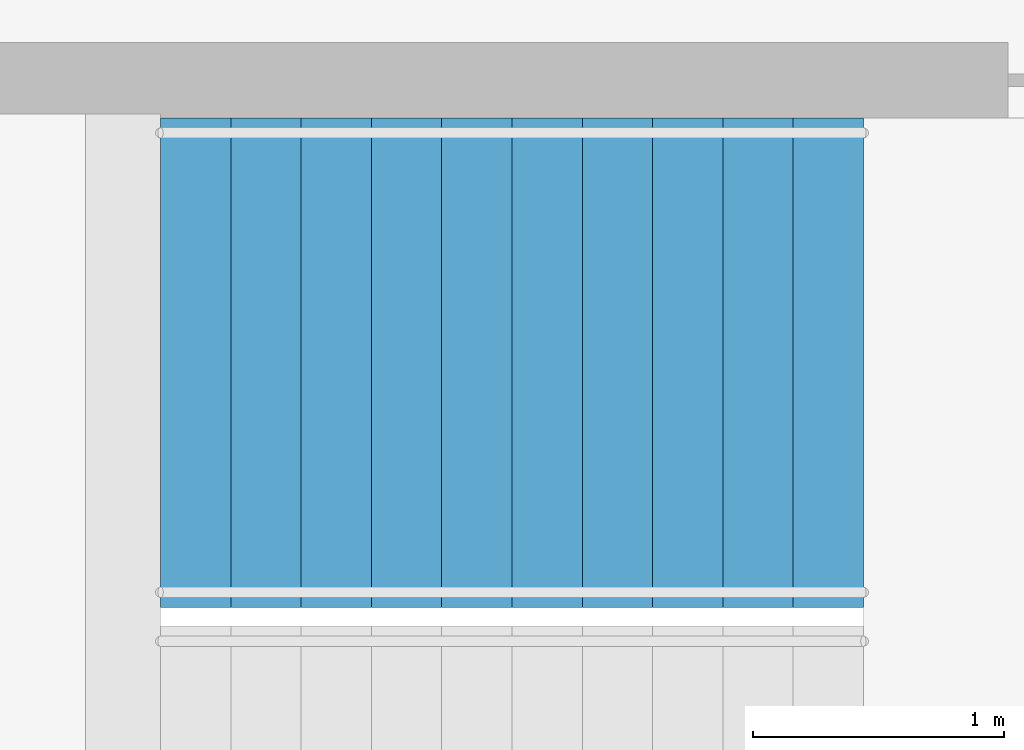
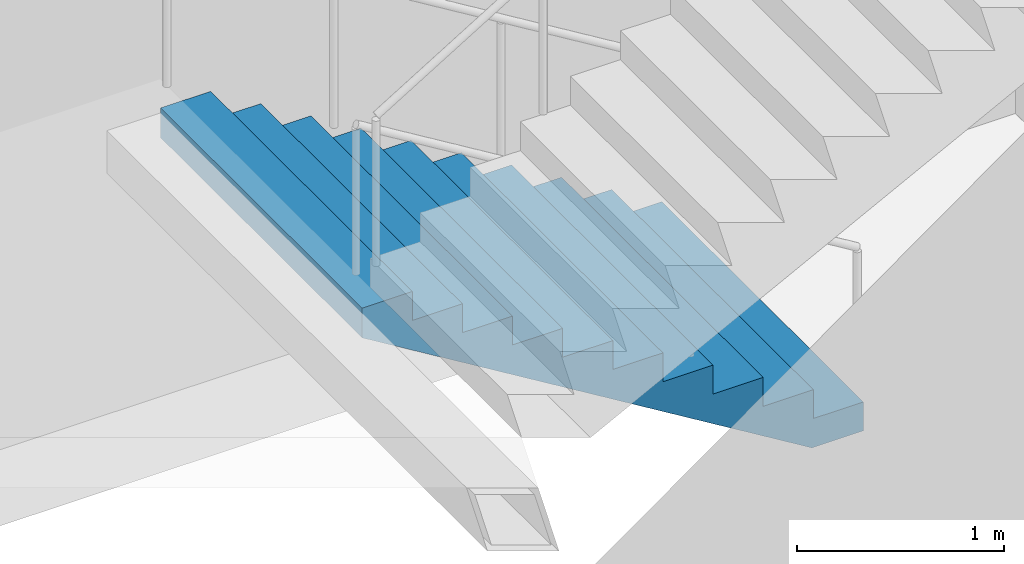
# One storey, part 23 of 26: 1 stair flight, 1 element without a shape of its own.
"""IFC4 building model written with IfcOpenShell, lengths in metres."""

import ifcopenshell
import ifcopenshell.guid

model = None  # the IFC model being written
_history = None  # IfcOwnerHistory: only IFC2X3 demands one
_inside = {}  # id of a spatial element -> (the spatial element, [elements in it])
_under = {}  # id of a project, library or spatial element -> (it, [spatial elements below it])
_declared = {}  # id of a project -> (the project, [libraries it declares])
_typed = {}  # id of a type object -> (the type object, [elements of that type])
_made_of = {}  # id of a material, layer set ... -> (it, [elements and type objects made of it])


def new_model(schema):
    """Start an empty IFC model of exactly this schema.

    Asked for "IFC4X3", IfcOpenShell would pick the latest addendum, in which some entities
    have other attributes; the version numbers below select the first issue.
    IFC2X3 requires an IfcOwnerHistory on every rooted entity: one is made here for all.
    """
    global model, _history
    if schema == "IFC4X3":
        model = ifcopenshell.file(schema_version=(4, 3, 0, 0))
    else:
        model = ifcopenshell.file(schema=schema)
    _inside.clear()
    _under.clear()
    _declared.clear()
    _typed.clear()
    _made_of.clear()
    _history = None
    if model.schema == "IFC2X3":
        org = make("IfcOrganization", Name="unknown")
        user = make(
            "IfcPersonAndOrganization",
            ThePerson=make("IfcPerson", FamilyName="unknown"),
            TheOrganization=org,
        )
        app = make(
            "IfcApplication",
            ApplicationDeveloper=org,
            Version="unknown",
            ApplicationFullName="unknown",
            ApplicationIdentifier="unknown",
        )
        _history = make(
            "IfcOwnerHistory",
            OwningUser=user,
            OwningApplication=app,
            ChangeAction="ADDED",
            CreationDate=0,
        )
    return model


def make(cls, **values):
    """One entity of the class cls with the attributes given. An attribute that is None is left unset."""
    return model.create_entity(
        cls, **{name: value for name, value in values.items() if value is not None}
    )


def rooted(cls, **values):
    """An entity with a GlobalId (a new one), such as an element, a storey or a relation."""
    return make(cls, GlobalId=ifcopenshell.guid.new(), OwnerHistory=_history, **values)


def si_unit(unit_type, name, prefix=None):
    """IfcSIUnit, for example si_unit("LENGTHUNIT", "METRE", prefix="MILLI")."""
    return make("IfcSIUnit", UnitType=unit_type, Prefix=prefix, Name=name)


def assignment(units):
    """IfcUnitAssignment: the units of a project."""
    return None if units is None else make("IfcUnitAssignment", Units=units)


def point(xyz):
    """IfcCartesianPoint."""
    return None if xyz is None else make("IfcCartesianPoint", Coordinates=xyz)


def direction(xyz):
    """IfcDirection."""
    return None if xyz is None else make("IfcDirection", DirectionRatios=xyz)


def frame(location, z_axis=None, x_axis=None):
    """IfcAxis2Placement3D, a coordinate frame: its origin and axes. An axis left out is left unset."""
    return make(
        "IfcAxis2Placement3D",
        Location=point(location),
        Axis=direction(z_axis),
        RefDirection=direction(x_axis),
    )


def origin():
    """The frame at (0, 0, 0) with its axes left unset."""
    return frame((0.0, 0.0, 0.0))


def place(relative_to, where):
    """IfcLocalPlacement: puts the frame where relative to a parent placement (None: the world)."""
    return make(
        "IfcLocalPlacement", PlacementRelTo=relative_to, RelativePlacement=where
    )


def context(
    kind, dimensions, precision=None, world=None, true_north=None, identifier=None
):
    """IfcGeometricRepresentationContext, for example the 3D "Model" context."""
    return make(
        "IfcGeometricRepresentationContext",
        ContextIdentifier=identifier,
        ContextType=kind,
        CoordinateSpaceDimension=dimensions,
        Precision=precision,
        WorldCoordinateSystem=world,
        TrueNorth=true_north,
    )


def subcontext(parent, identifier, kind, view, scale=None):
    """IfcGeometricRepresentationSubContext, for example "Body" below "Model"."""
    return make(
        "IfcGeometricRepresentationSubContext",
        ContextIdentifier=identifier,
        ContextType=kind,
        ParentContext=parent,
        TargetScale=scale,
        TargetView=view,
    )


def project(units=None, contexts=None):
    """IfcProject with its units and contexts."""
    return rooted(
        "IfcProject",
        Name="project",
        RepresentationContexts=contexts,
        UnitsInContext=assignment(units),
    )


def spatial(cls, under=None, at=None, **own):
    """A site, building, storey or space (cls), placed at a placement, below another one or the project."""
    s = rooted(cls, ObjectPlacement=at, **own)
    if under is not None:
        _under.setdefault(under.id(), (under, []))[1].append(s)
    return s


def point_list(points):
    """IfcCartesianPointList2D or 3D."""
    cls = (
        "IfcCartesianPointList2D" if len(points[0]) == 2 else "IfcCartesianPointList3D"
    )
    return make(cls, CoordList=points)


def triangles(points, corners, closed=None, point_numbers=None):
    """IfcTriangulatedFaceSet: each triangle names its three corners, points numbered from 1."""
    return make(
        "IfcTriangulatedFaceSet",
        Coordinates=point_list(points),
        Closed=closed,
        CoordIndex=corners,
        PnIndex=point_numbers,
    )


def shape(context_of_items, identifier, shape_type, items):
    """IfcShapeRepresentation: the items that make up one representation, for example the "Body"."""
    return make(
        "IfcShapeRepresentation",
        ContextOfItems=context_of_items,
        RepresentationIdentifier=identifier,
        RepresentationType=shape_type,
        Items=items,
    )


def material(Name=None, Category=None):
    """IfcMaterial."""
    return make("IfcMaterial", Name=Name, Category=Category)


def made_of(thing, what):
    """Note that an element or type object is made of a material, layer set ...; save() writes the relation."""
    if what is not None:
        _made_of.setdefault(what.id(), (what, []))[1].append(thing)
    return thing


def type_object(cls, material=None, **own):
    """A type object (cls), such as IfcWallType, which elements share."""
    return made_of(rooted(cls, **own), material)


def element(
    cls,
    number,
    at=None,
    inside=None,
    cuts=None,
    type_object=None,
    material=None,
    context=None,
    identifier="Body",
    shape_type=None,
    held_by="IfcProductDefinitionShape",
    body=None,
    shapes=None,
    **own,
):
    """One element of the class cls, such as IfcWall. Its Tag is "e" and its number.

    at: its placement. inside: the storey or other place that contains it. cuts: it is an
    opening in that element (IfcRelVoidsElement). A single representation is given by context,
    identifier, shape_type and body (its items); several are given by shapes. held_by: the class
    of the entity that holds the representations. save() writes the other relations.
    """
    e = rooted(cls, Tag="e%d" % number, ObjectPlacement=at, **own)
    if body is not None:
        shapes = [shape(context, identifier, shape_type, body)]
    if shapes is not None:
        e.Representation = make(held_by, Representations=shapes)
    if inside is not None:
        _inside.setdefault(inside.id(), (inside, []))[1].append(e)
    if cuts is not None:
        rooted(
            "IfcRelVoidsElement", RelatingBuildingElement=cuts, RelatedOpeningElement=e
        )
    if type_object is not None:
        _typed.setdefault(type_object.id(), (type_object, []))[1].append(e)
    return made_of(e, material)


def aggregate(whole, parts):
    """IfcRelAggregates: a whole, such as a stair, and the parts it consists of."""
    return rooted("IfcRelAggregates", RelatingObject=whole, RelatedObjects=parts)


def save(model, path):
    """Write the relations noted so far, then the file.

    IfcRelAggregates (storeys below a building ...), IfcRelContainedInSpatialStructure (elements
    in a storey), IfcRelDefinesByType, IfcRelAssociatesMaterial and IfcRelDeclares: one each for
    every whole, place, type object, material and project.
    """
    for whole, parts in _under.values():
        aggregate(whole, parts)
    for where, things in _inside.values():
        rooted(
            "IfcRelContainedInSpatialStructure",
            RelatedElements=things,
            RelatingStructure=where,
        )
    for kind, things in _typed.values():
        rooted("IfcRelDefinesByType", RelatedObjects=things, RelatingType=kind)
    for what, things in _made_of.values():
        rooted("IfcRelAssociatesMaterial", RelatedObjects=things, RelatingMaterial=what)
    for by, libraries in _declared.values():
        rooted("IfcRelDeclares", RelatingContext=by, RelatedDefinitions=libraries)
    model.write(path)


model = new_model("IFC4")

# Units and contexts
model_context = context("Model", 3, precision=1e-05, world=origin(), true_north=direction((0.0, 1.0)))
body_context = subcontext(model_context, "Body", "Model", "MODEL_VIEW")
ifc_project = project(units=[si_unit("LENGTHUNIT", "METRE"), si_unit("AREAUNIT", "SQUARE_METRE"), si_unit("VOLUMEUNIT", "CUBIC_METRE"), si_unit("PLANEANGLEUNIT", "RADIAN"), si_unit("MASSUNIT", "GRAM", prefix="KILO")], contexts=[model_context])

# Site, building, storey
site_placement = place(None, origin())
site = spatial("IfcSite", under=ifc_project, at=site_placement, CompositionType="ELEMENT")
building_placement = place(site_placement, origin())
building = spatial("IfcBuilding", under=site, at=building_placement, Name="Orbita Commons", CompositionType="ELEMENT")
storey_placement = place(building_placement, frame((0.0, 0.0, 114.39990234375)))
storey = spatial("IfcBuildingStorey", under=building, at=storey_placement, Name="L28", CompositionType="ELEMENT", Elevation=114.39990234375)

# Stair, stair flight
ifc_material_1 = material(Name="Precast concrete C40/50", Category="concrete")
stair_type = type_object("IfcStairType", Name="Exit stair S2 2 flights 11 risers 170", PredefinedType="HALF_TURN_STAIR", material=ifc_material_1)
stair_placement = place(storey_placement, origin())
stair = element("IfcStair", 1, at=stair_placement, inside=storey, type_object=stair_type, Name="Exit stair S2 L28", PredefinedType="HALF_TURN_STAIR")
ifc_material_2 = material(Name="Precast concrete C40/50", Category="concrete")
stair_flight_type = type_object("IfcStairFlightType", Name="Stair flight 11 risers 170 x 280", PredefinedType="STRAIGHT", material=ifc_material_2)
stair_flight_placement = place(storey_placement, frame((63.550048828125, 29.27490234375, 0.0), z_axis=(0.0, 0.0, 1.0), x_axis=(-1.0, 0.0, 0.0)))
stair_flight = element("IfcStairFlight", 2, at=stair_flight_placement, type_object=stair_flight_type, Name="S2 flight 1", NumberOfRisers=11, NumberOfTreads=10, PredefinedType="STRAIGHT", RiserHeight=0.170454545, TreadLength=0.28, context=body_context, shape_type="Tessellation", body=[
    triangles([(0.0, 0.974976, 0.0), (0.0, 0.974976, 0.021307), (0.0, 0.81248, 0.021307), (0.0, 0.81248, 0.0), (0.0, 0.649984, 0.021307), (0.0, 0.649984, 0.0), (0.0, 0.487488, 0.021307), (0.0, 0.487488, 0.0), (0.0, 0.324992, 0.021307), (0.0, 0.324992, 0.0), (0.0, 0.162496, 0.021307), (0.0, 0.162496, 0.0), (0.0, 0.0, 0.021307), (0.0, 0.0, 0.0), (0.0, -0.162496, 0.021307), (0.0, -0.162496, 0.0), (0.0, -0.324992, 0.021307), (0.0, -0.324992, 0.0), (0.0, -0.487488, 0.021307), (0.0, -0.487488, 0.0), (0.0, -0.649984, 0.021307), (0.0, -0.649984, 0.0), (0.0, -0.81248, 0.021307), (0.0, -0.81248, 0.0), (0.0, -0.974976, 0.021307), (0.0, -0.974976, 0.0), (0.0, 0.974976, 0.042614), (0.0, 0.81248, 0.042614), (0.0, 0.649984, 0.042614), (0.0, 0.487488, 0.042614), (0.0, 0.324992, 0.042614), (0.0, 0.162496, 0.042614), (0.0, 0.0, 0.042614), (0.0, -0.162496, 0.042614), (0.0, -0.324992, 0.042614), (0.0, -0.487488, 0.042614), (0.0, -0.649984, 0.042614), (0.0, -0.81248, 0.042614), (0.0, -0.974976, 0.042614), (0.0, 0.974976, 0.06392), (0.0, 0.81248, 0.06392), (0.0, 0.649984, 0.06392), (0.0, 0.487488, 0.06392), (0.0, 0.324992, 0.06392), (0.0, 0.162496, 0.06392), (0.0, 0.0, 0.06392), (0.0, -0.162496, 0.06392), (0.0, -0.324992, 0.06392), (0.0, -0.487488, 0.06392), (0.0, -0.649984, 0.06392), (0.0, -0.81248, 0.06392), (0.0, -0.974976, 0.06392), (0.0, 0.974976, 0.085227), (0.0, 0.81248, 0.085227), (0.0, 0.649984, 0.085227), (0.0, 0.487488, 0.085227), (0.0, 0.324992, 0.085227), (0.0, 0.162496, 0.085227), (0.0, 0.0, 0.085227), (0.0, -0.162496, 0.085227), (0.0, -0.324992, 0.085227), (0.0, -0.487488, 0.085227), (0.0, -0.649984, 0.085227), (0.0, -0.81248, 0.085227), (0.0, -0.974976, 0.085227), (0.0, 0.974976, 0.106534), (0.0, 0.81248, 0.106534), (0.0, 0.649984, 0.106534), (0.0, 0.487488, 0.106534), (0.0, 0.324992, 0.106534), (0.0, 0.162496, 0.106534), (0.0, 0.0, 0.106534), (0.0, -0.162496, 0.106534), (0.0, -0.324992, 0.106534), (0.0, -0.487488, 0.106534), (0.0, -0.649984, 0.106534), (0.0, -0.81248, 0.106534), (0.0, -0.974976, 0.106534), (0.0, 0.974976, 0.127841), (0.0, 0.81248, 0.127841), (0.0, 0.649984, 0.127841), (0.0, 0.487488, 0.127841), (0.0, 0.324992, 0.127841), (0.0, 0.162496, 0.127841), (0.0, 0.0, 0.127841), (0.0, -0.162496, 0.127841), (0.0, -0.324992, 0.127841), (0.0, -0.487488, 0.127841), (0.0, -0.649984, 0.127841), (0.0, -0.81248, 0.127841), (0.0, -0.974976, 0.127841), (0.0, 0.974976, 0.149148), (0.0, 0.81248, 0.149148), (0.0, 0.649984, 0.149148), (0.0, 0.487488, 0.149148), (0.0, 0.324992, 0.149148), (0.0, 0.162496, 0.149148), (0.0, 0.0, 0.149148), (0.0, -0.162496, 0.149148), (0.0, -0.324992, 0.149148), (0.0, -0.487488, 0.149148), (0.0, -0.649984, 0.149148), (0.0, -0.81248, 0.149148), (0.0, -0.974976, 0.149148), (0.0, 0.974976, 0.170455), (0.0, 0.81248, 0.170455), (0.0, 0.649984, 0.170455), (0.0, 0.487488, 0.170455), (0.0, 0.324992, 0.170455), (0.0, 0.162496, 0.170455), (0.0, 0.0, 0.170455), (0.0, -0.162496, 0.170455), (0.0, -0.324992, 0.170455), (0.0, -0.487488, 0.170455), (0.0, -0.649984, 0.170455), (0.0, -0.81248, 0.170455), (0.0, -0.974976, 0.170455), (0.28, 0.974976, 0.170455), (0.28, 0.81248, 0.170455), (0.28, 0.649984, 0.170455), (0.28, 0.487488, 0.170455), (0.28, 0.324992, 0.170455), (0.28, 0.162496, 0.170455), (0.28, 0.0, 0.170455), (0.28, -0.162496, 0.170455), (0.28, -0.324992, 0.170455), (0.28, -0.487488, 0.170455), (0.28, -0.649984, 0.170455), (0.28, -0.81248, 0.170455), (0.28, -0.974976, 0.170455), (0.28, 0.974976, 0.340909), (0.28, 0.81248, 0.340909), (0.28, 0.649984, 0.340909), (0.28, 0.487488, 0.340909), (0.28, 0.324992, 0.340909), (0.28, 0.162496, 0.340909), (0.28, 0.0, 0.340909), (0.28, -0.162496, 0.340909), (0.28, -0.324992, 0.340909), (0.28, -0.487488, 0.340909), (0.28, -0.649984, 0.340909), (0.28, -0.81248, 0.340909), (0.28, -0.974976, 0.340909), (0.56, 0.974976, 0.340909), (0.56, 0.81248, 0.340909), (0.56, 0.649984, 0.340909), (0.56, 0.487488, 0.340909), (0.56, 0.324992, 0.340909), (0.56, 0.162496, 0.340909), (0.56, 0.0, 0.340909), (0.56, -0.162496, 0.340909), (0.56, -0.324992, 0.340909), (0.56, -0.487488, 0.340909), (0.56, -0.649984, 0.340909), (0.56, -0.81248, 0.340909), (0.56, -0.974976, 0.340909), (0.56, 0.974976, 0.511364), (0.56, 0.81248, 0.511364), (0.56, 0.649984, 0.511364), (0.56, 0.487488, 0.511364), (0.56, 0.324992, 0.511364), (0.56, 0.162496, 0.511364), (0.56, 0.0, 0.511364), (0.56, -0.162496, 0.511364), (0.56, -0.324992, 0.511364), (0.56, -0.487488, 0.511364), (0.56, -0.649984, 0.511364), (0.56, -0.81248, 0.511364), (0.56, -0.974976, 0.511364), (0.84, 0.974976, 0.511364), (0.84, 0.81248, 0.511364), (0.84, 0.649984, 0.511364), (0.84, 0.487488, 0.511364), (0.84, 0.324992, 0.511364), (0.84, 0.162496, 0.511364), (0.84, 0.0, 0.511364), (0.84, -0.162496, 0.511364), (0.84, -0.324992, 0.511364), (0.84, -0.487488, 0.511364), (0.84, -0.649984, 0.511364), (0.84, -0.81248, 0.511364), (0.84, -0.974976, 0.511364), (0.84, 0.974976, 0.681818), (0.84, 0.81248, 0.681818), (0.84, 0.649984, 0.681818), (0.84, 0.487488, 0.681818), (0.84, 0.324992, 0.681818), (0.84, 0.162496, 0.681818), (0.84, 0.0, 0.681818), (0.84, -0.162496, 0.681818), (0.84, -0.324992, 0.681818), (0.84, -0.487488, 0.681818), (0.84, -0.649984, 0.681818), (0.84, -0.81248, 0.681818), (0.84, -0.974976, 0.681818), (1.12, 0.974976, 0.681818), (1.12, 0.81248, 0.681818), (1.12, 0.649984, 0.681818), (1.12, 0.487488, 0.681818), (1.12, 0.324992, 0.681818), (1.12, 0.162496, 0.681818), (1.12, 0.0, 0.681818), (1.12, -0.162496, 0.681818), (1.12, -0.324992, 0.681818), (1.12, -0.487488, 0.681818), (1.12, -0.649984, 0.681818), (1.12, -0.81248, 0.681818), (1.12, -0.974976, 0.681818), (1.12, 0.974976, 0.852273), (1.12, 0.81248, 0.852273), (1.12, 0.649984, 0.852273), (1.12, 0.487488, 0.852273), (1.12, 0.324992, 0.852273), (1.12, 0.162496, 0.852273), (1.12, 0.0, 0.852273), (1.12, -0.162496, 0.852273), (1.12, -0.324992, 0.852273), (1.12, -0.487488, 0.852273), (1.12, -0.649984, 0.852273), (1.12, -0.81248, 0.852273), (1.12, -0.974976, 0.852273), (1.4, 0.974976, 0.852273), (1.4, 0.81248, 0.852273), (1.4, 0.649984, 0.852273), (1.4, 0.487488, 0.852273), (1.4, 0.324992, 0.852273), (1.4, 0.162496, 0.852273), (1.4, 0.0, 0.852273), (1.4, -0.162496, 0.852273), (1.4, -0.324992, 0.852273), (1.4, -0.487488, 0.852273), (1.4, -0.649984, 0.852273), (1.4, -0.81248, 0.852273), (1.4, -0.974976, 0.852273), (1.4, 0.974976, 1.022727), (1.4, 0.81248, 1.022727), (1.4, 0.649984, 1.022727), (1.4, 0.487488, 1.022727), (1.4, 0.324992, 1.022727), (1.4, 0.162496, 1.022727), (1.4, 0.0, 1.022727), (1.4, -0.162496, 1.022727), (1.4, -0.324992, 1.022727), (1.4, -0.487488, 1.022727), (1.4, -0.649984, 1.022727), (1.4, -0.81248, 1.022727), (1.4, -0.974976, 1.022727), (1.68, 0.974976, 1.022727), (1.68, 0.81248, 1.022727), (1.68, 0.649984, 1.022727), (1.68, 0.487488, 1.022727), (1.68, 0.324992, 1.022727), (1.68, 0.162496, 1.022727), (1.68, 0.0, 1.022727), (1.68, -0.162496, 1.022727), (1.68, -0.324992, 1.022727), (1.68, -0.487488, 1.022727), (1.68, -0.649984, 1.022727), (1.68, -0.81248, 1.022727), (1.68, -0.974976, 1.022727), (1.68, 0.974976, 1.193182), (1.68, 0.81248, 1.193182), (1.68, 0.649984, 1.193182), (1.68, 0.487488, 1.193182), (1.68, 0.324992, 1.193182), (1.68, 0.162496, 1.193182), (1.68, 0.0, 1.193182), (1.68, -0.162496, 1.193182), (1.68, -0.324992, 1.193182), (1.68, -0.487488, 1.193182), (1.68, -0.649984, 1.193182), (1.68, -0.81248, 1.193182), (1.68, -0.974976, 1.193182), (1.96, 0.974976, 1.193182), (1.96, 0.81248, 1.193182), (1.96, 0.649984, 1.193182), (1.96, 0.487488, 1.193182), (1.96, 0.324992, 1.193182), (1.96, 0.162496, 1.193182), (1.96, 0.0, 1.193182), (1.96, -0.162496, 1.193182), (1.96, -0.324992, 1.193182), (1.96, -0.487488, 1.193182), (1.96, -0.649984, 1.193182), (1.96, -0.81248, 1.193182), (1.96, -0.974976, 1.193182), (1.96, 0.974976, 1.363636), (1.96, 0.81248, 1.363636), (1.96, 0.649984, 1.363636), (1.96, 0.487488, 1.363636), (1.96, 0.324992, 1.363636), (1.96, 0.162496, 1.363636), (1.96, 0.0, 1.363636), (1.96, -0.162496, 1.363636), (1.96, -0.324992, 1.363636), (1.96, -0.487488, 1.363636), (1.96, -0.649984, 1.363636), (1.96, -0.81248, 1.363636), (1.96, -0.974976, 1.363636), (2.24, 0.974976, 1.363636), (2.24, 0.81248, 1.363636), (2.24, 0.649984, 1.363636), (2.24, 0.487488, 1.363636), (2.24, 0.324992, 1.363636), (2.24, 0.162496, 1.363636), (2.24, 0.0, 1.363636), (2.24, -0.162496, 1.363636), (2.24, -0.324992, 1.363636), (2.24, -0.487488, 1.363636), (2.24, -0.649984, 1.363636), (2.24, -0.81248, 1.363636), (2.24, -0.974976, 1.363636), (2.24, 0.974976, 1.534091), (2.24, 0.81248, 1.534091), (2.24, 0.649984, 1.534091), (2.24, 0.487488, 1.534091), (2.24, 0.324992, 1.534091), (2.24, 0.162496, 1.534091), (2.24, 0.0, 1.534091), (2.24, -0.162496, 1.534091), (2.24, -0.324992, 1.534091), (2.24, -0.487488, 1.534091), (2.24, -0.649984, 1.534091), (2.24, -0.81248, 1.534091), (2.24, -0.974976, 1.534091), (2.52, 0.974976, 1.534091), (2.52, 0.81248, 1.534091), (2.52, 0.649984, 1.534091), (2.52, 0.487488, 1.534091), (2.52, 0.324992, 1.534091), (2.52, 0.162496, 1.534091), (2.52, 0.0, 1.534091), (2.52, -0.162496, 1.534091), (2.52, -0.324992, 1.534091), (2.52, -0.487488, 1.534091), (2.52, -0.649984, 1.534091), (2.52, -0.81248, 1.534091), (2.52, -0.974976, 1.534091), (2.52, 0.974976, 1.704545), (2.52, 0.81248, 1.704545), (2.52, 0.649984, 1.704545), (2.52, 0.487488, 1.704545), (2.52, 0.324992, 1.704545), (2.52, 0.162496, 1.704545), (2.52, 0.0, 1.704545), (2.52, -0.162496, 1.704545), (2.52, -0.324992, 1.704545), (2.52, -0.487488, 1.704545), (2.52, -0.649984, 1.704545), (2.52, -0.81248, 1.704545), (2.52, -0.974976, 1.704545), (2.8, 0.974976, 1.704545), (2.8, 0.81248, 1.704545), (2.8, 0.649984, 1.704545), (2.8, 0.487488, 1.704545), (2.8, 0.324992, 1.704545), (2.8, 0.162496, 1.704545), (2.8, 0.0, 1.704545), (2.8, -0.162496, 1.704545), (2.8, -0.324992, 1.704545), (2.8, -0.487488, 1.704545), (2.8, -0.649984, 1.704545), (2.8, -0.81248, 1.704545), (2.8, -0.974976, 1.704545), (2.8, 0.974976, 1.682609), (2.8, 0.81248, 1.682609), (2.8, 0.649984, 1.682609), (2.8, 0.487488, 1.682609), (2.8, 0.324992, 1.682609), (2.8, 0.162496, 1.682609), (2.8, 0.0, 1.682609), (2.8, -0.162496, 1.682609), (2.8, -0.324992, 1.682609), (2.8, -0.487488, 1.682609), (2.8, -0.649984, 1.682609), (2.8, -0.81248, 1.682609), (2.8, -0.974976, 1.682609), (2.8, 0.974976, 1.660672), (2.8, 0.81248, 1.660672), (2.8, 0.649984, 1.660672), (2.8, 0.487488, 1.660672), (2.8, 0.324992, 1.660672), (2.8, 0.162496, 1.660672), (2.8, 0.0, 1.660672), (2.8, -0.162496, 1.660672), (2.8, -0.324992, 1.660672), (2.8, -0.487488, 1.660672), (2.8, -0.649984, 1.660672), (2.8, -0.81248, 1.660672), (2.8, -0.974976, 1.660672), (2.8, 0.974976, 1.638735), (2.8, 0.81248, 1.638735), (2.8, 0.649984, 1.638735), (2.8, 0.487488, 1.638735), (2.8, 0.324992, 1.638735), (2.8, 0.162496, 1.638735), (2.8, 0.0, 1.638735), (2.8, -0.162496, 1.638735), (2.8, -0.324992, 1.638735), (2.8, -0.487488, 1.638735), (2.8, -0.649984, 1.638735), (2.8, -0.81248, 1.638735), (2.8, -0.974976, 1.638735), (2.8, 0.974976, 1.616798), (2.8, 0.81248, 1.616798), (2.8, 0.649984, 1.616798), (2.8, 0.487488, 1.616798), (2.8, 0.324992, 1.616798), (2.8, 0.162496, 1.616798), (2.8, 0.0, 1.616798), (2.8, -0.162496, 1.616798), (2.8, -0.324992, 1.616798), (2.8, -0.487488, 1.616798), (2.8, -0.649984, 1.616798), (2.8, -0.81248, 1.616798), (2.8, -0.974976, 1.616798), (2.8, 0.974976, 1.594861), (2.8, 0.81248, 1.594861), (2.8, 0.649984, 1.594861), (2.8, 0.487488, 1.594861), (2.8, 0.324992, 1.594861), (2.8, 0.162496, 1.594861), (2.8, 0.0, 1.594861), (2.8, -0.162496, 1.594861), (2.8, -0.324992, 1.594861), (2.8, -0.487488, 1.594861), (2.8, -0.649984, 1.594861), (2.8, -0.81248, 1.594861), (2.8, -0.974976, 1.594861), (2.8, 0.974976, 1.572925), (2.8, 0.81248, 1.572925), (2.8, 0.649984, 1.572925), (2.8, 0.487488, 1.572925), (2.8, 0.324992, 1.572925), (2.8, 0.162496, 1.572925), (2.8, 0.0, 1.572925), (2.8, -0.162496, 1.572925), (2.8, -0.324992, 1.572925), (2.8, -0.487488, 1.572925), (2.8, -0.649984, 1.572925), (2.8, -0.81248, 1.572925), (2.8, -0.974976, 1.572925), (2.8, 0.974976, 1.550988), (2.8, 0.81248, 1.550988), (2.8, 0.649984, 1.550988), (2.8, 0.487488, 1.550988), (2.8, 0.324992, 1.550988), (2.8, 0.162496, 1.550988), (2.8, 0.0, 1.550988), (2.8, -0.162496, 1.550988), (2.8, -0.324992, 1.550988), (2.8, -0.487488, 1.550988), (2.8, -0.649984, 1.550988), (2.8, -0.81248, 1.550988), (2.8, -0.974976, 1.550988), (2.8, 0.974976, 1.529051), (2.8, 0.81248, 1.529051), (2.8, 0.649984, 1.529051), (2.8, 0.487488, 1.529051), (2.8, 0.324992, 1.529051), (2.8, 0.162496, 1.529051), (2.8, 0.0, 1.529051), (2.8, -0.162496, 1.529051), (2.8, -0.324992, 1.529051), (2.8, -0.487488, 1.529051), (2.8, -0.649984, 1.529051), (2.8, -0.81248, 1.529051), (2.8, -0.974976, 1.529051), (0.288279, 0.974976, 0.0), (0.288279, 0.81248, 0.0), (0.288279, 0.649984, 0.0), (0.288279, 0.487488, 0.0), (0.288279, 0.324992, 0.0), (0.288279, 0.162496, 0.0), (0.288279, 0.0, 0.0), (0.288279, -0.162496, 0.0), (0.288279, -0.324992, 0.0), (0.288279, -0.487488, 0.0), (0.288279, -0.649984, 0.0), (0.288279, -0.81248, 0.0), (0.288279, -0.974976, 0.0)], [[3, 2, 1], [4, 3, 1], [5, 3, 4], [6, 5, 4], [7, 5, 6], [8, 7, 6], [9, 7, 8], [10, 9, 8], [11, 9, 10], [12, 11, 10], [13, 11, 12], [14, 13, 12], [15, 13, 14], [16, 15, 14], [17, 15, 16], [18, 17, 16], [19, 17, 18], [20, 19, 18], [21, 19, 20], [22, 21, 20], [23, 21, 22], [24, 23, 22], [25, 23, 24], [26, 25, 24], [28, 27, 2], [3, 28, 2], [29, 28, 3], [5, 29, 3], [30, 29, 5], [7, 30, 5], [31, 30, 7], [9, 31, 7], [32, 31, 9], [11, 32, 9], [33, 32, 11], [13, 33, 11], [34, 33, 13], [15, 34, 13], [35, 34, 15], [17, 35, 15], [36, 35, 17], [19, 36, 17], [37, 36, 19], [21, 37, 19], [38, 37, 21], [23, 38, 21], [39, 38, 23], [25, 39, 23], [41, 40, 27], [28, 41, 27], [42, 41, 28], [29, 42, 28], [43, 42, 29], [30, 43, 29], [44, 43, 30], [31, 44, 30], [45, 44, 31], [32, 45, 31], [46, 45, 32], [33, 46, 32], [47, 46, 33], [34, 47, 33], [48, 47, 34], [35, 48, 34], [49, 48, 35], [36, 49, 35], [50, 49, 36], [37, 50, 36], [51, 50, 37], [38, 51, 37], [52, 51, 38], [39, 52, 38], [54, 53, 40], [41, 54, 40], [55, 54, 41], [42, 55, 41], [56, 55, 42], [43, 56, 42], [57, 56, 43], [44, 57, 43], [58, 57, 44], [45, 58, 44], [59, 58, 45], [46, 59, 45], [60, 59, 46], [47, 60, 46], [61, 60, 47], [48, 61, 47], [62, 61, 48], [49, 62, 48], [63, 62, 49], [50, 63, 49], [64, 63, 50], [51, 64, 50], [65, 64, 51], [52, 65, 51], [67, 66, 53], [54, 67, 53], [68, 67, 54], [55, 68, 54], [69, 68, 55], [56, 69, 55], [70, 69, 56], [57, 70, 56], [71, 70, 57], [58, 71, 57], [72, 71, 58], [59, 72, 58], [73, 72, 59], [60, 73, 59], [74, 73, 60], [61, 74, 60], [75, 74, 61], [62, 75, 61], [76, 75, 62], [63, 76, 62], [77, 76, 63], [64, 77, 63], [78, 77, 64], [65, 78, 64], [80, 79, 66], [67, 80, 66], [81, 80, 67], [68, 81, 67], [82, 81, 68], [69, 82, 68], [83, 82, 69], [70, 83, 69], [84, 83, 70], [71, 84, 70], [85, 84, 71], [72, 85, 71], [86, 85, 72], [73, 86, 72], [87, 86, 73], [74, 87, 73], [88, 87, 74], [75, 88, 74], [89, 88, 75], [76, 89, 75], [90, 89, 76], [77, 90, 76], [91, 90, 77], [78, 91, 77], [93, 92, 79], [80, 93, 79], [94, 93, 80], [81, 94, 80], [95, 94, 81], [82, 95, 81], [96, 95, 82], [83, 96, 82], [97, 96, 83], [84, 97, 83], [98, 97, 84], [85, 98, 84], [99, 98, 85], [86, 99, 85], [100, 99, 86], [87, 100, 86], [101, 100, 87], [88, 101, 87], [102, 101, 88], [89, 102, 88], [103, 102, 89], [90, 103, 89], [104, 103, 90], [91, 104, 90], [106, 105, 92], [93, 106, 92], [107, 106, 93], [94, 107, 93], [108, 107, 94], [95, 108, 94], [109, 108, 95], [96, 109, 95], [110, 109, 96], [97, 110, 96], [111, 110, 97], [98, 111, 97], [112, 111, 98], [99, 112, 98], [113, 112, 99], [100, 113, 99], [114, 113, 100], [101, 114, 100], [115, 114, 101], [102, 115, 101], [116, 115, 102], [103, 116, 102], [117, 116, 103], [104, 117, 103], [119, 118, 105], [106, 119, 105], [120, 119, 106], [107, 120, 106], [121, 120, 107], [108, 121, 107], [122, 121, 108], [109, 122, 108], [123, 122, 109], [110, 123, 109], [124, 123, 110], [111, 124, 110], [125, 124, 111], [112, 125, 111], [126, 125, 112], [113, 126, 112], [127, 126, 113], [114, 127, 113], [128, 127, 114], [115, 128, 114], [129, 128, 115], [116, 129, 115], [130, 129, 116], [117, 130, 116], [132, 131, 118], [119, 132, 118], [133, 132, 119], [120, 133, 119], [134, 133, 120], [121, 134, 120], [135, 134, 121], [122, 135, 121], [136, 135, 122], [123, 136, 122], [137, 136, 123], [124, 137, 123], [138, 137, 124], [125, 138, 124], [139, 138, 125], [126, 139, 125], [140, 139, 126], [127, 140, 126], [141, 140, 127], [128, 141, 127], [142, 141, 128], [129, 142, 128], [143, 142, 129], [130, 143, 129], [145, 144, 131], [132, 145, 131], [146, 145, 132], [133, 146, 132], [147, 146, 133], [134, 147, 133], [148, 147, 134], [135, 148, 134], [149, 148, 135], [136, 149, 135], [150, 149, 136], [137, 150, 136], [151, 150, 137], [138, 151, 137], [152, 151, 138], [139, 152, 138], [153, 152, 139], [140, 153, 139], [154, 153, 140], [141, 154, 140], [155, 154, 141], [142, 155, 141], [156, 155, 142], [143, 156, 142], [158, 157, 144], [145, 158, 144], [159, 158, 145], [146, 159, 145], [160, 159, 146], [147, 160, 146], [161, 160, 147], [148, 161, 147], [162, 161, 148], [149, 162, 148], [163, 162, 149], [150, 163, 149], [164, 163, 150], [151, 164, 150], [165, 164, 151], [152, 165, 151], [166, 165, 152], [153, 166, 152], [167, 166, 153], [154, 167, 153], [168, 167, 154], [155, 168, 154], [169, 168, 155], [156, 169, 155], [171, 170, 157], [158, 171, 157], [172, 171, 158], [159, 172, 158], [173, 172, 159], [160, 173, 159], [174, 173, 160], [161, 174, 160], [175, 174, 161], [162, 175, 161], [176, 175, 162], [163, 176, 162], [177, 176, 163], [164, 177, 163], [178, 177, 164], [165, 178, 164], [179, 178, 165], [166, 179, 165], [180, 179, 166], [167, 180, 166], [181, 180, 167], [168, 181, 167], [182, 181, 168], [169, 182, 168], [184, 183, 170], [171, 184, 170], [185, 184, 171], [172, 185, 171], [186, 185, 172], [173, 186, 172], [187, 186, 173], [174, 187, 173], [188, 187, 174], [175, 188, 174], [189, 188, 175], [176, 189, 175], [190, 189, 176], [177, 190, 176], [191, 190, 177], [178, 191, 177], [192, 191, 178], [179, 192, 178], [193, 192, 179], [180, 193, 179], [194, 193, 180], [181, 194, 180], [195, 194, 181], [182, 195, 181], [197, 196, 183], [184, 197, 183], [198, 197, 184], [185, 198, 184], [199, 198, 185], [186, 199, 185], [200, 199, 186], [187, 200, 186], [201, 200, 187], [188, 201, 187], [202, 201, 188], [189, 202, 188], [203, 202, 189], [190, 203, 189], [204, 203, 190], [191, 204, 190], [205, 204, 191], [192, 205, 191], [206, 205, 192], [193, 206, 192], [207, 206, 193], [194, 207, 193], [208, 207, 194], [195, 208, 194], [210, 209, 196], [197, 210, 196], [211, 210, 197], [198, 211, 197], [212, 211, 198], [199, 212, 198], [213, 212, 199], [200, 213, 199], [214, 213, 200], [201, 214, 200], [215, 214, 201], [202, 215, 201], [216, 215, 202], [203, 216, 202], [217, 216, 203], [204, 217, 203], [218, 217, 204], [205, 218, 204], [219, 218, 205], [206, 219, 205], [220, 219, 206], [207, 220, 206], [221, 220, 207], [208, 221, 207], [223, 222, 209], [210, 223, 209], [224, 223, 210], [211, 224, 210], [225, 224, 211], [212, 225, 211], [226, 225, 212], [213, 226, 212], [227, 226, 213], [214, 227, 213], [228, 227, 214], [215, 228, 214], [229, 228, 215], [216, 229, 215], [230, 229, 216], [217, 230, 216], [231, 230, 217], [218, 231, 217], [232, 231, 218], [219, 232, 218], [233, 232, 219], [220, 233, 219], [234, 233, 220], [221, 234, 220], [236, 235, 222], [223, 236, 222], [237, 236, 223], [224, 237, 223], [238, 237, 224], [225, 238, 224], [239, 238, 225], [226, 239, 225], [240, 239, 226], [227, 240, 226], [241, 240, 227], [228, 241, 227], [242, 241, 228], [229, 242, 228], [243, 242, 229], [230, 243, 229], [244, 243, 230], [231, 244, 230], [245, 244, 231], [232, 245, 231], [246, 245, 232], [233, 246, 232], [247, 246, 233], [234, 247, 233], [249, 248, 235], [236, 249, 235], [250, 249, 236], [237, 250, 236], [251, 250, 237], [238, 251, 237], [252, 251, 238], [239, 252, 238], [253, 252, 239], [240, 253, 239], [254, 253, 240], [241, 254, 240], [255, 254, 241], [242, 255, 241], [256, 255, 242], [243, 256, 242], [257, 256, 243], [244, 257, 243], [258, 257, 244], [245, 258, 244], [259, 258, 245], [246, 259, 245], [260, 259, 246], [247, 260, 246], [262, 261, 248], [249, 262, 248], [263, 262, 249], [250, 263, 249], [264, 263, 250], [251, 264, 250], [265, 264, 251], [252, 265, 251], [266, 265, 252], [253, 266, 252], [267, 266, 253], [254, 267, 253], [268, 267, 254], [255, 268, 254], [269, 268, 255], [256, 269, 255], [270, 269, 256], [257, 270, 256], [271, 270, 257], [258, 271, 257], [272, 271, 258], [259, 272, 258], [273, 272, 259], [260, 273, 259], [275, 274, 261], [262, 275, 261], [276, 275, 262], [263, 276, 262], [277, 276, 263], [264, 277, 263], [278, 277, 264], [265, 278, 264], [279, 278, 265], [266, 279, 265], [280, 279, 266], [267, 280, 266], [281, 280, 267], [268, 281, 267], [282, 281, 268], [269, 282, 268], [283, 282, 269], [270, 283, 269], [284, 283, 270], [271, 284, 270], [285, 284, 271], [272, 285, 271], [286, 285, 272], [273, 286, 272], [288, 287, 274], [275, 288, 274], [289, 288, 275], [276, 289, 275], [290, 289, 276], [277, 290, 276], [291, 290, 277], [278, 291, 277], [292, 291, 278], [279, 292, 278], [293, 292, 279], [280, 293, 279], [294, 293, 280], [281, 294, 280], [295, 294, 281], [282, 295, 281], [296, 295, 282], [283, 296, 282], [297, 296, 283], [284, 297, 283], [298, 297, 284], [285, 298, 284], [299, 298, 285], [286, 299, 285], [301, 300, 287], [288, 301, 287], [302, 301, 288], [289, 302, 288], [303, 302, 289], [290, 303, 289], [304, 303, 290], [291, 304, 290], [305, 304, 291], [292, 305, 291], [306, 305, 292], [293, 306, 292], [307, 306, 293], [294, 307, 293], [308, 307, 294], [295, 308, 294], [309, 308, 295], [296, 309, 295], [310, 309, 296], [297, 310, 296], [311, 310, 297], [298, 311, 297], [312, 311, 298], [299, 312, 298], [314, 313, 300], [301, 314, 300], [315, 314, 301], [302, 315, 301], [316, 315, 302], [303, 316, 302], [317, 316, 303], [304, 317, 303], [318, 317, 304], [305, 318, 304], [319, 318, 305], [306, 319, 305], [320, 319, 306], [307, 320, 306], [321, 320, 307], [308, 321, 307], [322, 321, 308], [309, 322, 308], [323, 322, 309], [310, 323, 309], [324, 323, 310], [311, 324, 310], [325, 324, 311], [312, 325, 311], [327, 326, 313], [314, 327, 313], [328, 327, 314], [315, 328, 314], [329, 328, 315], [316, 329, 315], [330, 329, 316], [317, 330, 316], [331, 330, 317], [318, 331, 317], [332, 331, 318], [319, 332, 318], [333, 332, 319], [320, 333, 319], [334, 333, 320], [321, 334, 320], [335, 334, 321], [322, 335, 321], [336, 335, 322], [323, 336, 322], [337, 336, 323], [324, 337, 323], [338, 337, 324], [325, 338, 324], [340, 339, 326], [327, 340, 326], [341, 340, 327], [328, 341, 327], [342, 341, 328], [329, 342, 328], [343, 342, 329], [330, 343, 329], [344, 343, 330], [331, 344, 330], [345, 344, 331], [332, 345, 331], [346, 345, 332], [333, 346, 332], [347, 346, 333], [334, 347, 333], [348, 347, 334], [335, 348, 334], [349, 348, 335], [336, 349, 335], [350, 349, 336], [337, 350, 336], [351, 350, 337], [338, 351, 337], [353, 352, 339], [340, 353, 339], [354, 353, 340], [341, 354, 340], [355, 354, 341], [342, 355, 341], [356, 355, 342], [343, 356, 342], [357, 356, 343], [344, 357, 343], [358, 357, 344], [345, 358, 344], [359, 358, 345], [346, 359, 345], [360, 359, 346], [347, 360, 346], [361, 360, 347], [348, 361, 347], [362, 361, 348], [349, 362, 348], [363, 362, 349], [350, 363, 349], [364, 363, 350], [351, 364, 350], [366, 365, 352], [353, 366, 352], [367, 366, 353], [354, 367, 353], [368, 367, 354], [355, 368, 354], [369, 368, 355], [356, 369, 355], [370, 369, 356], [357, 370, 356], [371, 370, 357], [358, 371, 357], [372, 371, 358], [359, 372, 358], [373, 372, 359], [360, 373, 359], [374, 373, 360], [361, 374, 360], [375, 374, 361], [362, 375, 361], [376, 375, 362], [363, 376, 362], [377, 376, 363], [364, 377, 363], [379, 378, 365], [366, 379, 365], [380, 379, 366], [367, 380, 366], [381, 380, 367], [368, 381, 367], [382, 381, 368], [369, 382, 368], [383, 382, 369], [370, 383, 369], [384, 383, 370], [371, 384, 370], [385, 384, 371], [372, 385, 371], [386, 385, 372], [373, 386, 372], [387, 386, 373], [374, 387, 373], [388, 387, 374], [375, 388, 374], [389, 388, 375], [376, 389, 375], [390, 389, 376], [377, 390, 376], [392, 391, 378], [379, 392, 378], [393, 392, 379], [380, 393, 379], [394, 393, 380], [381, 394, 380], [395, 394, 381], [382, 395, 381], [396, 395, 382], [383, 396, 382], [397, 396, 383], [384, 397, 383], [398, 397, 384], [385, 398, 384], [399, 398, 385], [386, 399, 385], [400, 399, 386], [387, 400, 386], [401, 400, 387], [388, 401, 387], [402, 401, 388], [389, 402, 388], [403, 402, 389], [390, 403, 389], [405, 404, 391], [392, 405, 391], [406, 405, 392], [393, 406, 392], [407, 406, 393], [394, 407, 393], [408, 407, 394], [395, 408, 394], [409, 408, 395], [396, 409, 395], [410, 409, 396], [397, 410, 396], [411, 410, 397], [398, 411, 397], [412, 411, 398], [399, 412, 398], [413, 412, 399], [400, 413, 399], [414, 413, 400], [401, 414, 400], [415, 414, 401], [402, 415, 401], [416, 415, 402], [403, 416, 402], [418, 417, 404], [405, 418, 404], [419, 418, 405], [406, 419, 405], [420, 419, 406], [407, 420, 406], [421, 420, 407], [408, 421, 407], [422, 421, 408], [409, 422, 408], [423, 422, 409], [410, 423, 409], [424, 423, 410], [411, 424, 410], [425, 424, 411], [412, 425, 411], [426, 425, 412], [413, 426, 412], [427, 426, 413], [414, 427, 413], [428, 427, 414], [415, 428, 414], [429, 428, 415], [416, 429, 415], [431, 430, 417], [418, 431, 417], [432, 431, 418], [419, 432, 418], [433, 432, 419], [420, 433, 419], [434, 433, 420], [421, 434, 420], [435, 434, 421], [422, 435, 421], [436, 435, 422], [423, 436, 422], [437, 436, 423], [424, 437, 423], [438, 437, 424], [425, 438, 424], [439, 438, 425], [426, 439, 425], [440, 439, 426], [427, 440, 426], [441, 440, 427], [428, 441, 427], [442, 441, 428], [429, 442, 428], [444, 443, 430], [431, 444, 430], [445, 444, 431], [432, 445, 431], [446, 445, 432], [433, 446, 432], [447, 446, 433], [434, 447, 433], [448, 447, 434], [435, 448, 434], [449, 448, 435], [436, 449, 435], [450, 449, 436], [437, 450, 436], [451, 450, 437], [438, 451, 437], [452, 451, 438], [439, 452, 438], [453, 452, 439], [440, 453, 439], [454, 453, 440], [441, 454, 440], [455, 454, 441], [442, 455, 441], [457, 456, 443], [444, 457, 443], [458, 457, 444], [445, 458, 444], [459, 458, 445], [446, 459, 445], [460, 459, 446], [447, 460, 446], [461, 460, 447], [448, 461, 447], [462, 461, 448], [449, 462, 448], [463, 462, 449], [450, 463, 449], [464, 463, 450], [451, 464, 450], [465, 464, 451], [452, 465, 451], [466, 465, 452], [453, 466, 452], [467, 466, 453], [454, 467, 453], [468, 467, 454], [455, 468, 454], [470, 469, 456], [457, 470, 456], [471, 470, 457], [458, 471, 457], [472, 471, 458], [459, 472, 458], [473, 472, 459], [460, 473, 459], [474, 473, 460], [461, 474, 460], [475, 474, 461], [462, 475, 461], [476, 475, 462], [463, 476, 462], [477, 476, 463], [464, 477, 463], [478, 477, 464], [465, 478, 464], [479, 478, 465], [466, 479, 465], [480, 479, 466], [467, 480, 466], [481, 480, 467], [468, 481, 467], [4, 1, 469], [470, 4, 469], [6, 4, 470], [471, 6, 470], [8, 6, 471], [472, 8, 471], [10, 8, 472], [473, 10, 472], [12, 10, 473], [474, 12, 473], [14, 12, 474], [475, 14, 474], [16, 14, 475], [476, 16, 475], [18, 16, 476], [477, 18, 476], [20, 18, 477], [478, 20, 477], [22, 20, 478], [479, 22, 478], [24, 22, 479], [480, 24, 479], [26, 24, 480], [481, 26, 480], [456, 469, 1], [26, 481, 468], [443, 456, 1], [26, 468, 455], [430, 443, 1], [26, 455, 442], [417, 430, 1], [26, 442, 429], [404, 417, 1], [26, 429, 416], [391, 404, 1], [26, 416, 403], [378, 391, 1], [26, 403, 390], [365, 378, 1], [26, 390, 377], [339, 352, 365], [377, 364, 351], [326, 339, 365], [377, 351, 338], [300, 313, 326], [338, 325, 312], [300, 326, 365], [377, 338, 312], [274, 287, 300], [312, 299, 286], [274, 300, 365], [377, 312, 286], [248, 261, 274], [286, 273, 260], [248, 274, 365], [377, 286, 260], [222, 235, 248], [260, 247, 234], [222, 248, 365], [377, 260, 234], [196, 209, 222], [234, 221, 208], [196, 222, 365], [377, 234, 208], [170, 183, 196], [208, 195, 182], [170, 196, 365], [377, 208, 182], [144, 157, 170], [182, 169, 156], [144, 170, 365], [377, 182, 156], [118, 131, 144], [156, 143, 130], [118, 144, 365], [377, 156, 130], [118, 365, 1], [26, 377, 130], [92, 105, 118], [130, 117, 104], [79, 92, 118], [130, 104, 91], [66, 79, 118], [130, 91, 78], [53, 66, 118], [130, 78, 65], [40, 53, 118], [130, 65, 52], [27, 40, 118], [130, 52, 39], [2, 27, 118], [130, 39, 25], [1, 2, 118], [130, 25, 26]], closed=True),
])
aggregate(stair, [stair_flight])

save(model, "model.ifc")
